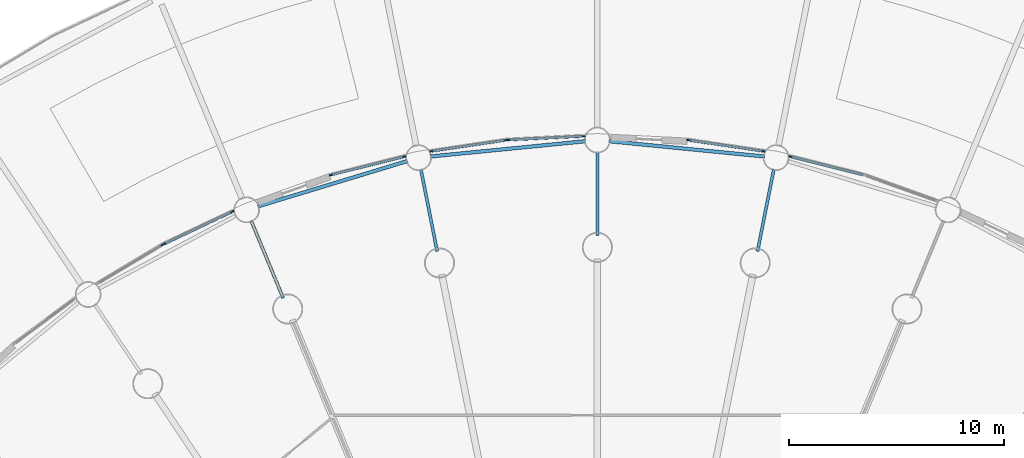
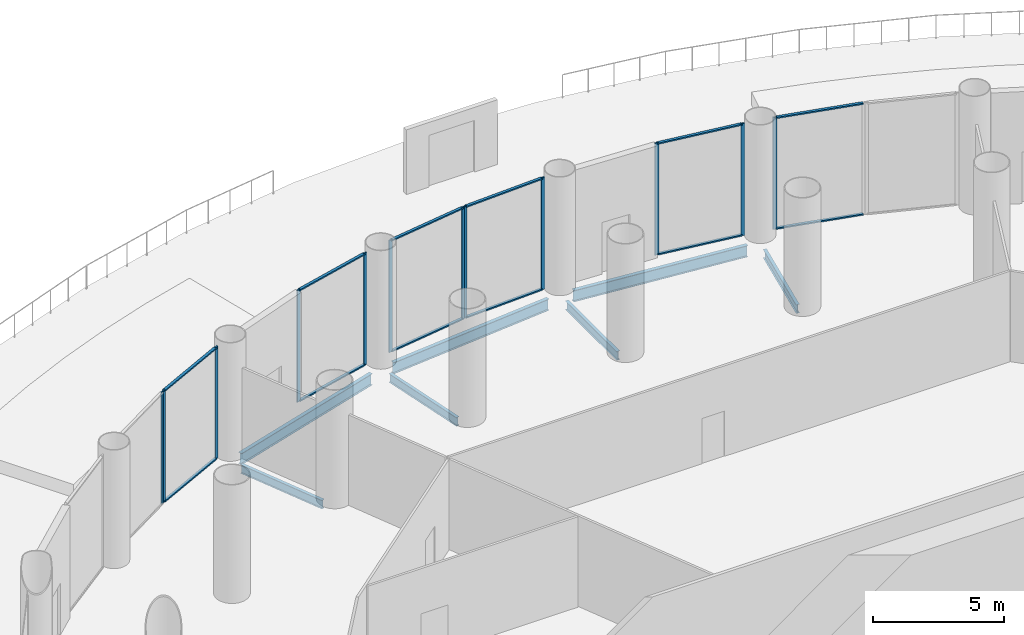
# One storey, part 21 of 36: 24 members, 7 beams, 7 elements without a shape of their own.
"""IFC4 building model written with IfcOpenShell, lengths in metres."""

from ifc_helpers import new_model, si_unit, direction, frame, origin, origin_2d, place, context, subcontext, project, spatial, rectangle, i_section, extrude, material, material_profile, profile_set, type_object, element, aggregate, save


model = new_model("IFC4")

# Units and contexts
model_context = context("Model", 3, precision=1e-05, world=origin(), true_north=direction((0.0, 1.0)))
body_context = subcontext(model_context, "Body", "Model", "MODEL_VIEW")
ifc_project = project(units=[si_unit("LENGTHUNIT", "METRE"), si_unit("AREAUNIT", "SQUARE_METRE"), si_unit("VOLUMEUNIT", "CUBIC_METRE"), si_unit("PLANEANGLEUNIT", "RADIAN"), si_unit("MASSUNIT", "GRAM", prefix="KILO")], contexts=[model_context])

# Site, building, storey
site_placement = place(None, origin())
site = spatial("IfcSite", under=ifc_project, at=site_placement, CompositionType="ELEMENT")
building_placement = place(site_placement, origin())
building = spatial("IfcBuilding", under=site, at=building_placement, Name="Corvane Civic Tower", CompositionType="ELEMENT")
storey_placement = place(building_placement, frame((0.0, 0.0, 6.0)))
storey = spatial("IfcBuildingStorey", under=building, at=storey_placement, Name="L01", CompositionType="ELEMENT", Elevation=6.0)

# Beams
ifc_material_1 = material(Name="Steel ASTM A992 Gr 50", Category="steel")
ifc_material_profile_1 = material_profile(ifc_material_1, i_section(OverallWidth=0.165771484375, OverallDepth=0.5283203125, WebThickness=0.009765625, FlangeThickness=0.013671875, at=origin_2d()), Name="W21X50")
ifc_profile_set_1 = profile_set([ifc_material_profile_1], Name="Steel ASTM A992 Gr 50")
beam_type_1 = type_object("IfcBeamType", Name="EDGE BEAM W21X50", PredefinedType="BEAM", material=ifc_profile_set_1)
for number, where, z_axis, x_axis, name in (
    (1, (0.54736328125, 42.64599609375, -0.564208984375), (0.995187967953, -0.097984225478, 0.0), (0.097984225478, 0.995187967953, 0.0), "BM-L01-E01"),
    (2, (-15.814208984375, 39.609375, -0.564208984375), (0.956938225664, 0.290291633127, 0.0), (-0.290291633127, 0.956938225664, 0.0), "BM-L01-E31"),
    (3, (-7.782958984375, 41.93359375, -0.564208984375), (0.995187967953, 0.097984225478, 0.0), (-0.097984225478, 0.995187967953, 0.0), "BM-L01-E32"),
):
    element("IfcBeam", number, at=place(storey_placement, frame(where, z_axis=z_axis, x_axis=x_axis)), inside=storey, type_object=beam_type_1, Name=name, PredefinedType="BEAM", context=body_context, shape_type="SweptSolid", body=[
        extrude(i_section(OverallWidth=0.165771484375, OverallDepth=0.5283203125, WebThickness=0.009765625, FlangeThickness=0.013671875, at=origin_2d()), origin(), (0.0, 0.0, 1.0), 7.2705078125),
    ])
ifc_material_2 = material(Name="Steel ASTM A992 Gr 50", Category="steel")
ifc_material_profile_2 = material_profile(ifc_material_2, i_section(OverallWidth=0.140380859375, OverallDepth=0.40380859375, WebThickness=0.007080078125, FlangeThickness=0.01123046875, at=origin_2d()), Name="W16X31")
ifc_profile_set_2 = profile_set([ifc_material_profile_2], Name="Steel ASTM A992 Gr 50")
beam_type_2 = type_object("IfcBeamType", Name="FLOOR GIRDER W16X31", PredefinedType="BEAM", material=ifc_profile_set_2)
for number, where, z_axis, x_axis, name in (
    (4, (0.0, 38.25, -0.501953125), (0.0, 1.0, 0.0), (-1.0, 0.0, 0.0), "BM-L01-G01b"),
    (5, (7.462158203125, 37.51513671875, -0.501953125), (0.195128858343, 0.980777614264, 0.0), (-0.980777614264, 0.195128858343, 0.0), "BM-L01-G02b"),
    (6, (-14.6376953125, 35.33837890625, -0.501953125), (-0.382685369162, 0.923878730261, 0.0), (-0.923878730261, -0.382685369162, 0.0), "BM-L01-G31b"),
    (7, (-7.462158203125, 37.51513671875, -0.501953125), (-0.195128858343, 0.980777614264, 0.0), (-0.980777614264, -0.195128858343, 0.0), "BM-L01-G32b"),
):
    element("IfcBeam", number, at=place(storey_placement, frame(where, z_axis=z_axis, x_axis=x_axis)), inside=storey, type_object=beam_type_2, Name=name, PredefinedType="BEAM", context=body_context, shape_type="SweptSolid", body=[
        extrude(i_section(OverallWidth=0.140380859375, OverallDepth=0.40380859375, WebThickness=0.007080078125, FlangeThickness=0.01123046875, at=origin_2d()), origin(), (0.0, 0.0, 1.0), 3.89990234375),
    ])

# Curtain wall, members
ifc_material_3 = material(Name="Aluminium and glass", Category="aluminium")
curtain_wall_type = type_object("IfcCurtainWallType", Name="PODIUM-CW-P-RUN", PredefinedType="NOTDEFINED", material=ifc_material_3)
curtain_wall_1_placement = place(storey_placement, origin())
curtain_wall_1 = element("IfcCurtainWall", 8, at=curtain_wall_1_placement, inside=storey, type_object=curtain_wall_type, Name="PODI run L01-drum-01B", PredefinedType="NOTDEFINED")
ifc_material_4 = material(Name="Anodised aluminium bronze", Category="aluminium")
ifc_material_profile_3 = material_profile(ifc_material_4, rectangle(XDim=0.06005859375, YDim=0.159912109375, at=origin_2d()), Name="AL 60x160")
ifc_profile_set_3 = profile_set([ifc_material_profile_3], Name="Anodised aluminium bronze")
member_type_1 = type_object("IfcMemberType", Name="PODIUM-CWP-MULLION-60x160", PredefinedType="MULLION", material=ifc_profile_set_3)
member_1_placement = place(storey_placement, frame((4.2509765625, 42.696533203125, 0.0), z_axis=(0.0, 0.0, 1.0), x_axis=(0.146714694252, 0.989178850608, 0.0)))
member_1 = element("IfcMember", 9, at=member_1_placement, type_object=member_type_1, Name="CW-P mullion 1", PredefinedType="MULLION", context=body_context, shape_type="SweptSolid", body=[
    extrude(rectangle(XDim=0.06005859375, YDim=0.159912109375, at=origin_2d()), origin(), (0.0, 0.0, 1.0), 5.199951171875),
])
member_2_placement = place(storey_placement, frame((7.732666015625, 42.18017578125, 0.0), z_axis=(0.0, 0.0, 1.0), x_axis=(0.146714694252, 0.989178850608, 0.0)))
member_2 = element("IfcMember", 10, at=member_2_placement, type_object=member_type_1, Name="CW-P mullion 2", PredefinedType="MULLION", context=body_context, shape_type="SweptSolid", body=[
    extrude(rectangle(XDim=0.06005859375, YDim=0.159912109375, at=origin_2d()), origin(), (0.0, 0.0, 1.0), 5.199951171875),
])

# Curtain wall, member
curtain_wall_2_placement = place(storey_placement, origin())
curtain_wall_2 = element("IfcCurtainWall", 11, at=curtain_wall_2_placement, inside=storey, type_object=curtain_wall_type, Name="PODI run L01-drum-02A", PredefinedType="NOTDEFINED")
member_3_placement = place(storey_placement, frame((8.99755859375, 41.9287109375, 0.0), z_axis=(0.0, 0.0, 1.0), x_axis=(0.243008852393, 0.970024070659, 0.0)))
member_3 = element("IfcMember", 12, at=member_3_placement, type_object=member_type_1, Name="CW-P mullion 1", PredefinedType="MULLION", context=body_context, shape_type="SweptSolid", body=[
    extrude(rectangle(XDim=0.06005859375, YDim=0.159912109375, at=origin_2d()), origin(), (0.0, 0.0, 1.0), 5.199951171875),
])

curtain_wall_3_placement = place(storey_placement, origin())
curtain_wall_3 = element("IfcCurtainWall", 13, at=curtain_wall_3_placement, inside=storey, type_object=curtain_wall_type, Name="PODI run L01-drum-30A", PredefinedType="NOTDEFINED")
member_4_placement = place(storey_placement, frame((-20.2666015625, 37.819580078125, 0.0), z_axis=(0.0, 0.0, 1.0), x_axis=(-0.514117759857, 0.857719609779, 0.0)))
member_4 = element("IfcMember", 14, at=member_4_placement, type_object=member_type_1, Name="CW-P mullion 2", PredefinedType="MULLION", context=body_context, shape_type="SweptSolid", body=[
    extrude(rectangle(XDim=0.06005859375, YDim=0.159912109375, at=origin_2d()), origin(), (0.0, 0.0, 1.0), 5.199951171875),
])
aggregate(curtain_wall_3, [member_4])

# Curtain wall, members
curtain_wall_4_placement = place(storey_placement, origin())
curtain_wall_4 = element("IfcCurtainWall", 15, at=curtain_wall_4_placement, inside=storey, type_object=curtain_wall_type, Name="PODI run L01-drum-30B", PredefinedType="NOTDEFINED")
member_5_placement = place(storey_placement, frame((-20.186279296875, 37.862548828125, 0.0), z_axis=(0.0, 0.0, 1.0), x_axis=(-0.42755312852, 0.903990222454, 0.0)))
member_5 = element("IfcMember", 16, at=member_5_placement, type_object=member_type_1, Name="CW-P mullion 1", PredefinedType="MULLION", context=body_context, shape_type="SweptSolid", body=[
    extrude(rectangle(XDim=0.06005859375, YDim=0.159912109375, at=origin_2d()), origin(), (0.0, 0.0, 1.0), 5.199951171875),
])
member_6_placement = place(storey_placement, frame((-17.00439453125, 39.36767578125, 0.0), z_axis=(0.0, 0.0, 1.0), x_axis=(-0.42755312852, 0.903990222454, 0.0)))
member_6 = element("IfcMember", 17, at=member_6_placement, type_object=member_type_1, Name="CW-P mullion 2", PredefinedType="MULLION", context=body_context, shape_type="SweptSolid", body=[
    extrude(rectangle(XDim=0.06005859375, YDim=0.159912109375, at=origin_2d()), origin(), (0.0, 0.0, 1.0), 5.199951171875),
])

curtain_wall_5_placement = place(storey_placement, origin())
curtain_wall_5 = element("IfcCurtainWall", 18, at=curtain_wall_5_placement, inside=storey, type_object=curtain_wall_type, Name="PODI run L01-drum-31B", PredefinedType="NOTDEFINED")
member_7_placement = place(storey_placement, frame((-12.411865234375, 41.0732421875, 0.0), z_axis=(0.0, 0.0, 1.0), x_axis=(-0.243008852393, 0.970024070659, 0.0)))
member_7 = element("IfcMember", 19, at=member_7_placement, type_object=member_type_1, Name="CW-P mullion 1", PredefinedType="MULLION", context=body_context, shape_type="SweptSolid", body=[
    extrude(rectangle(XDim=0.06005859375, YDim=0.159912109375, at=origin_2d()), origin(), (0.0, 0.0, 1.0), 5.199951171875),
])
member_8_placement = place(storey_placement, frame((-8.99755859375, 41.9287109375, 0.0), z_axis=(0.0, 0.0, 1.0), x_axis=(-0.243008852393, 0.970024070659, 0.0)))
member_8 = element("IfcMember", 20, at=member_8_placement, type_object=member_type_1, Name="CW-P mullion 2", PredefinedType="MULLION", context=body_context, shape_type="SweptSolid", body=[
    extrude(rectangle(XDim=0.06005859375, YDim=0.159912109375, at=origin_2d()), origin(), (0.0, 0.0, 1.0), 5.199951171875),
])

curtain_wall_6_placement = place(storey_placement, origin())
curtain_wall_6 = element("IfcCurtainWall", 21, at=curtain_wall_6_placement, inside=storey, type_object=curtain_wall_type, Name="PODI run L01-drum-32A", PredefinedType="NOTDEFINED")
member_9_placement = place(storey_placement, frame((-7.732666015625, 42.18017578125, 0.0), z_axis=(0.0, 0.0, 1.0), x_axis=(-0.146714694252, 0.989178850608, 0.0)))
member_9 = element("IfcMember", 22, at=member_9_placement, type_object=member_type_1, Name="CW-P mullion 1", PredefinedType="MULLION", context=body_context, shape_type="SweptSolid", body=[
    extrude(rectangle(XDim=0.06005859375, YDim=0.159912109375, at=origin_2d()), origin(), (0.0, 0.0, 1.0), 5.199951171875),
])
member_10_placement = place(storey_placement, frame((-4.2509765625, 42.696533203125, 0.0), z_axis=(0.0, 0.0, 1.0), x_axis=(-0.146714694252, 0.989178850608, 0.0)))
member_10 = element("IfcMember", 23, at=member_10_placement, type_object=member_type_1, Name="CW-P mullion 2", PredefinedType="MULLION", context=body_context, shape_type="SweptSolid", body=[
    extrude(rectangle(XDim=0.06005859375, YDim=0.159912109375, at=origin_2d()), origin(), (0.0, 0.0, 1.0), 5.199951171875),
])

curtain_wall_7_placement = place(storey_placement, origin())
curtain_wall_7 = element("IfcCurtainWall", 24, at=curtain_wall_7_placement, inside=storey, type_object=curtain_wall_type, Name="PODI run L01-drum-32B", PredefinedType="NOTDEFINED")
member_11_placement = place(storey_placement, frame((-4.16064453125, 42.70556640625, 0.0), z_axis=(0.0, 0.0, 1.0), x_axis=(-0.04905015332, 0.998796316803, 0.0)))
member_11 = element("IfcMember", 25, at=member_11_placement, type_object=member_type_1, Name="CW-P mullion 1", PredefinedType="MULLION", context=body_context, shape_type="SweptSolid", body=[
    extrude(rectangle(XDim=0.06005859375, YDim=0.159912109375, at=origin_2d()), origin(), (0.0, 0.0, 1.0), 5.199951171875),
])
member_12_placement = place(storey_placement, frame((-0.644775390625, 42.878173828125, 0.0), z_axis=(0.0, 0.0, 1.0), x_axis=(-0.04905015332, 0.998796316803, 0.0)))
member_12 = element("IfcMember", 26, at=member_12_placement, type_object=member_type_1, Name="CW-P mullion 2", PredefinedType="MULLION", context=body_context, shape_type="SweptSolid", body=[
    extrude(rectangle(XDim=0.06005859375, YDim=0.159912109375, at=origin_2d()), origin(), (0.0, 0.0, 1.0), 5.199951171875),
])

# Member
ifc_material_5 = material(Name="Anodised aluminium bronze", Category="aluminium")
ifc_material_profile_4 = material_profile(ifc_material_5, rectangle(XDim=0.1201171875, YDim=0.06005859375, at=origin_2d()), Name="AL 120x60")
ifc_profile_set_4 = profile_set([ifc_material_profile_4], Name="Anodised aluminium bronze")
member_type_2 = type_object("IfcMemberType", Name="PODIUM-CWP-TRANSOM-60x120", PredefinedType="USERDEFINED", material=ifc_profile_set_4)
member_13_placement = place(storey_placement, frame((4.28076171875, 42.692138671875, 0.030029296875), z_axis=(0.989180338828, -0.146704660039, 0.0), x_axis=(0.146704660039, 0.989180338828, 0.0)))
member_13 = element("IfcMember", 27, at=member_13_placement, type_object=member_type_2, Name="CW-P transom 1.1", ObjectType="TRANSOM", PredefinedType="USERDEFINED", context=body_context, shape_type="SweptSolid", body=[
    extrude(rectangle(XDim=0.1201171875, YDim=0.06005859375, at=origin_2d()), origin(), (0.0, 0.0, 1.0), 3.459716796875),
])

member_14_placement = place(storey_placement, frame((4.28076171875, 42.692138671875, 5.169921875), z_axis=(0.989180338828, -0.146704660039, 0.0), x_axis=(0.146704660039, 0.989180338828, 0.0)))
member_14 = element("IfcMember", 28, at=member_14_placement, type_object=member_type_2, Name="CW-P transom 1.2", ObjectType="TRANSOM", PredefinedType="USERDEFINED", context=body_context, shape_type="SweptSolid", body=[
    extrude(rectangle(XDim=0.1201171875, YDim=0.06005859375, at=origin_2d()), origin(), (0.0, 0.0, 1.0), 3.459716796875),
])

aggregate(curtain_wall_1, [member_1, member_2, member_13, member_14])

member_15_placement = place(storey_placement, frame((9.026611328125, 41.92138671875, 0.030029296875), z_axis=(0.970022009425, -0.243017080124, 0.0), x_axis=(0.243017080124, 0.970022009425, 0.0)))
member_15 = element("IfcMember", 29, at=member_15_placement, type_object=member_type_2, Name="CW-P transom 1.1", ObjectType="TRANSOM", PredefinedType="USERDEFINED", context=body_context, shape_type="SweptSolid", body=[
    extrude(rectangle(XDim=0.1201171875, YDim=0.06005859375, at=origin_2d()), origin(), (0.0, 0.0, 1.0), 3.4599609375),
])

member_16_placement = place(storey_placement, frame((9.026611328125, 41.92138671875, 5.169921875), z_axis=(0.970022009425, -0.243017080124, 0.0), x_axis=(0.243017080124, 0.970022009425, 0.0)))
member_16 = element("IfcMember", 30, at=member_16_placement, type_object=member_type_2, Name="CW-P transom 1.2", ObjectType="TRANSOM", PredefinedType="USERDEFINED", context=body_context, shape_type="SweptSolid", body=[
    extrude(rectangle(XDim=0.1201171875, YDim=0.06005859375, at=origin_2d()), origin(), (0.0, 0.0, 1.0), 3.4599609375),
])

aggregate(curtain_wall_2, [member_3, member_15, member_16])

member_17_placement = place(storey_placement, frame((-20.1591796875, 37.87548828125, 0.030029296875), z_axis=(0.903993431638, 0.427546343166, 0.0), x_axis=(-0.427546343166, 0.903993431638, 0.0)))
member_17 = element("IfcMember", 31, at=member_17_placement, type_object=member_type_2, Name="CW-P transom 1.1", ObjectType="TRANSOM", PredefinedType="USERDEFINED", context=body_context, shape_type="SweptSolid", body=[
    extrude(rectangle(XDim=0.1201171875, YDim=0.06005859375, at=origin_2d()), origin(), (0.0, 0.0, 1.0), 3.4599609375),
])

member_18_placement = place(storey_placement, frame((-20.1591796875, 37.87548828125, 5.169921875), z_axis=(0.903993431638, 0.427546343166, 0.0), x_axis=(-0.427546343166, 0.903993431638, 0.0)))
member_18 = element("IfcMember", 32, at=member_18_placement, type_object=member_type_2, Name="CW-P transom 1.2", ObjectType="TRANSOM", PredefinedType="USERDEFINED", context=body_context, shape_type="SweptSolid", body=[
    extrude(rectangle(XDim=0.1201171875, YDim=0.06005859375, at=origin_2d()), origin(), (0.0, 0.0, 1.0), 3.4599609375),
])

aggregate(curtain_wall_4, [member_5, member_6, member_17, member_18])

member_19_placement = place(storey_placement, frame((-12.3828125, 41.08056640625, 0.030029296875), z_axis=(0.970022009425, 0.243017080124, 0.0), x_axis=(-0.243017080124, 0.970022009425, 0.0)))
member_19 = element("IfcMember", 33, at=member_19_placement, type_object=member_type_2, Name="CW-P transom 1.1", ObjectType="TRANSOM", PredefinedType="USERDEFINED", context=body_context, shape_type="SweptSolid", body=[
    extrude(rectangle(XDim=0.1201171875, YDim=0.06005859375, at=origin_2d()), origin(), (0.0, 0.0, 1.0), 3.4599609375),
])

member_20_placement = place(storey_placement, frame((-12.3828125, 41.08056640625, 5.169921875), z_axis=(0.970022009425, 0.243017080124, 0.0), x_axis=(-0.243017080124, 0.970022009425, 0.0)))
member_20 = element("IfcMember", 34, at=member_20_placement, type_object=member_type_2, Name="CW-P transom 1.2", ObjectType="TRANSOM", PredefinedType="USERDEFINED", context=body_context, shape_type="SweptSolid", body=[
    extrude(rectangle(XDim=0.1201171875, YDim=0.06005859375, at=origin_2d()), origin(), (0.0, 0.0, 1.0), 3.4599609375),
])

aggregate(curtain_wall_5, [member_7, member_8, member_19, member_20])

member_21_placement = place(storey_placement, frame((-7.703125, 42.1845703125, 0.030029296875), z_axis=(0.989180338828, 0.146704660039, 0.0), x_axis=(-0.146704660039, 0.989180338828, 0.0)))
member_21 = element("IfcMember", 35, at=member_21_placement, type_object=member_type_2, Name="CW-P transom 1.1", ObjectType="TRANSOM", PredefinedType="USERDEFINED", context=body_context, shape_type="SweptSolid", body=[
    extrude(rectangle(XDim=0.1201171875, YDim=0.06005859375, at=origin_2d()), origin(), (0.0, 0.0, 1.0), 3.459716796875),
])

member_22_placement = place(storey_placement, frame((-7.703125, 42.1845703125, 5.169921875), z_axis=(0.989180338828, 0.146704660039, 0.0), x_axis=(-0.146704660039, 0.989180338828, 0.0)))
member_22 = element("IfcMember", 36, at=member_22_placement, type_object=member_type_2, Name="CW-P transom 1.2", ObjectType="TRANSOM", PredefinedType="USERDEFINED", context=body_context, shape_type="SweptSolid", body=[
    extrude(rectangle(XDim=0.1201171875, YDim=0.06005859375, at=origin_2d()), origin(), (0.0, 0.0, 1.0), 3.459716796875),
])

aggregate(curtain_wall_6, [member_9, member_10, member_21, member_22])

member_23_placement = place(storey_placement, frame((-4.130615234375, 42.70703125, 0.030029296875), z_axis=(0.998796806423, 0.049040182301, 0.0), x_axis=(-0.049040182301, 0.998796806423, 0.0)))
member_23 = element("IfcMember", 37, at=member_23_placement, type_object=member_type_2, Name="CW-P transom 1.1", ObjectType="TRANSOM", PredefinedType="USERDEFINED", context=body_context, shape_type="SweptSolid", body=[
    extrude(rectangle(XDim=0.1201171875, YDim=0.06005859375, at=origin_2d()), origin(), (0.0, 0.0, 1.0), 3.4599609375),
])

member_24_placement = place(storey_placement, frame((-4.130615234375, 42.70703125, 5.169921875), z_axis=(0.998796806423, 0.049040182301, 0.0), x_axis=(-0.049040182301, 0.998796806423, 0.0)))
member_24 = element("IfcMember", 38, at=member_24_placement, type_object=member_type_2, Name="CW-P transom 1.2", ObjectType="TRANSOM", PredefinedType="USERDEFINED", context=body_context, shape_type="SweptSolid", body=[
    extrude(rectangle(XDim=0.1201171875, YDim=0.06005859375, at=origin_2d()), origin(), (0.0, 0.0, 1.0), 3.4599609375),
])

aggregate(curtain_wall_7, [member_11, member_12, member_23, member_24])

save(model, "model.ifc")
